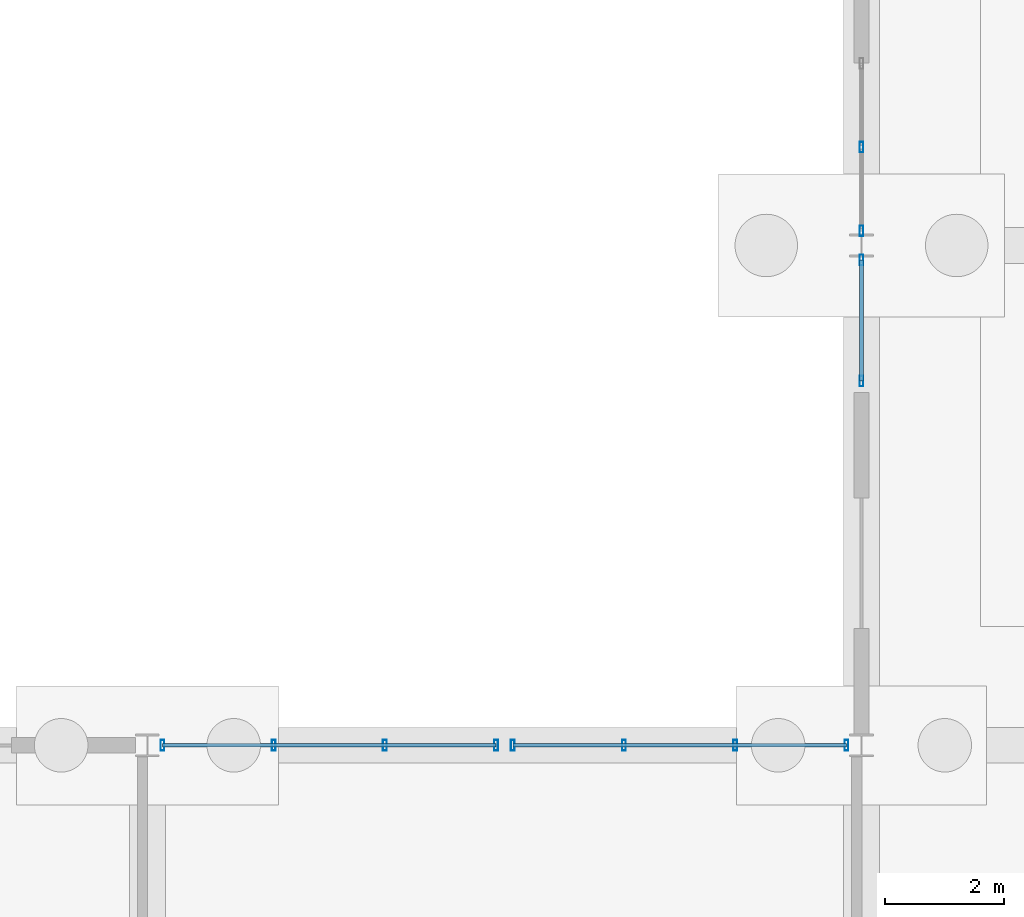
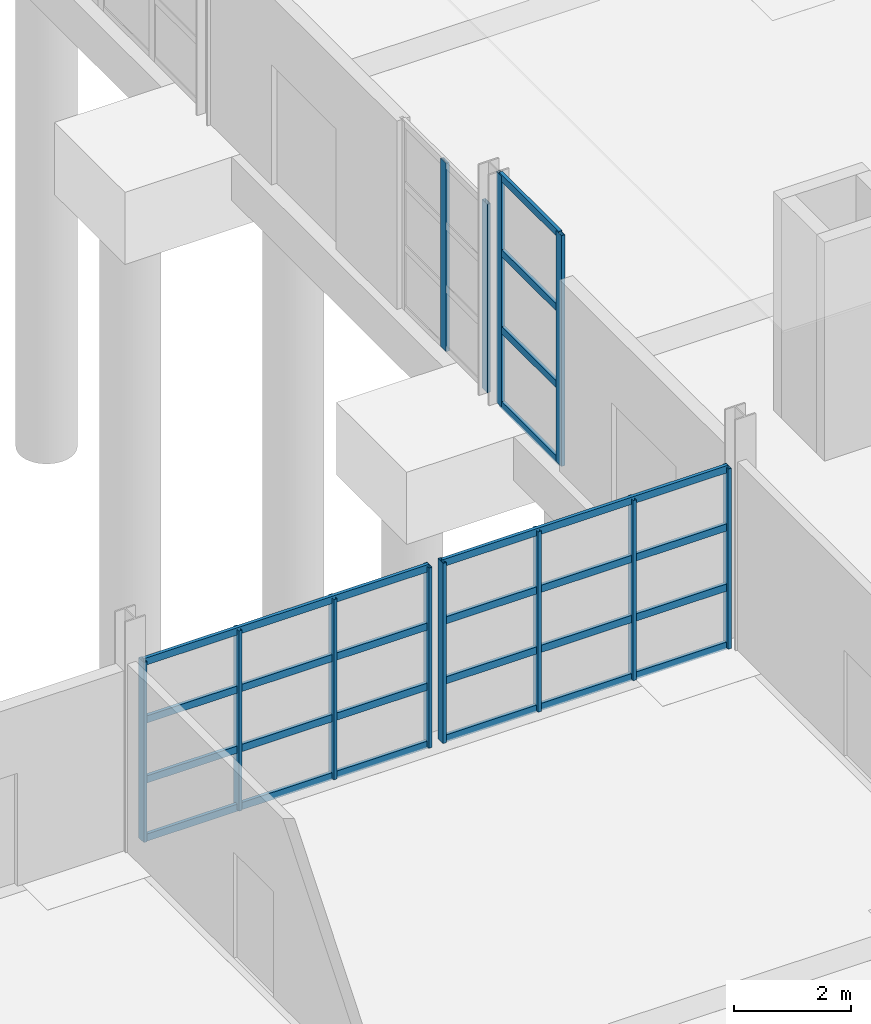
# One storey, part 30 of 82: 24 members, 4 elements without a shape of their own.
"""IFC4 building model written with IfcOpenShell, lengths in metres."""

from ifc_helpers import new_model, si_unit, direction, frame, origin, origin_2d, place, context, subcontext, project, spatial, hollow_rectangle, extrude, material, material_profile, profile_set, type_object, element, aggregate, save


model = new_model("IFC4")

# Units and contexts
model_context = context("Model", 3, precision=1e-05, world=origin(), true_north=direction((0.0, 1.0)))
body_context = subcontext(model_context, "Body", "Model", "MODEL_VIEW")
ifc_project = project(units=[si_unit("LENGTHUNIT", "METRE"), si_unit("AREAUNIT", "SQUARE_METRE"), si_unit("VOLUMEUNIT", "CUBIC_METRE"), si_unit("PLANEANGLEUNIT", "RADIAN"), si_unit("MASSUNIT", "GRAM", prefix="KILO")], contexts=[model_context])

# Site, building, storey
site_placement = place(None, origin())
site = spatial("IfcSite", under=ifc_project, at=site_placement, CompositionType="ELEMENT")
building_placement = place(site_placement, origin())
building = spatial("IfcBuilding", under=site, at=building_placement, Name="Kelmvaro Bay Concert Hall", CompositionType="ELEMENT")
storey_placement = place(building_placement, origin())
storey = spatial("IfcBuildingStorey", under=building, at=storey_placement, Name="L00", CompositionType="ELEMENT", Elevation=0.0)

# Curtain wall, members
ifc_material_1 = material(Name="Anodised Aluminium and Low-E Insulated Glazing", Category="aluminium")
curtain_wall_type = type_object("IfcCurtainWallType", Name="Foyer Ground Hurricane Curtain Wall 4400", PredefinedType="USERDEFINED", material=ifc_material_1)
curtain_wall_1_placement = place(storey_placement, origin())
curtain_wall_1 = element("IfcCurtainWall", 1, at=curtain_wall_1_placement, inside=storey, type_object=curtain_wall_type, Name="Unitised Curtain Wall CW-L00-053", ObjectType="UNITISED GLAZING", PredefinedType="USERDEFINED")
ifc_material_2 = material(Name="Anodised Extruded Aluminium 6063-T6", Category="aluminium")
ifc_material_profile_1 = material_profile(ifc_material_2, hollow_rectangle(XDim=0.06494140625, YDim=0.179931640625, WallThickness=0.00390625, at=origin_2d()), Name="ALU-MUL-180X65")
ifc_profile_set_1 = profile_set([ifc_material_profile_1], Name="Anodised Extruded Aluminium 6063-T6")
member_type_1 = type_object("IfcMemberType", Name="Curtain Mullion ALU 180x65", PredefinedType="MULLION", material=ifc_profile_set_1)
member_1_placement = place(storey_placement, frame((96.2529296875, 39.0, 0.0), z_axis=(0.0, 0.0, 1.0), x_axis=(1.0, 0.0, 0.0)))
member_1 = element("IfcMember", 2, at=member_1_placement, type_object=member_type_1, Name="CW-L00-053 Mullion 01", PredefinedType="MULLION", context=body_context, shape_type="SweptSolid", body=[
    extrude(hollow_rectangle(XDim=0.06494140625, YDim=0.179931640625, WallThickness=0.00390625, at=origin_2d()), origin(), (0.0, 0.0, 1.0), 3.7470703125),
])
member_2_placement = place(storey_placement, frame((98.1220703125, 39.0, 0.0), z_axis=(0.0, 0.0, 1.0), x_axis=(1.0, 0.0, 0.0)))
member_2 = element("IfcMember", 3, at=member_2_placement, type_object=member_type_1, Name="CW-L00-053 Mullion 02", PredefinedType="MULLION", context=body_context, shape_type="SweptSolid", body=[
    extrude(hollow_rectangle(XDim=0.06494140625, YDim=0.179931640625, WallThickness=0.00390625, at=origin_2d()), origin(), (0.0, 0.0, 1.0), 3.7470703125),
])
member_3_placement = place(storey_placement, frame((99.990966796875, 39.0, 0.0), z_axis=(0.0, 0.0, 1.0), x_axis=(1.0, 0.0, 0.0)))
member_3 = element("IfcMember", 4, at=member_3_placement, type_object=member_type_1, Name="CW-L00-053 Mullion 03", PredefinedType="MULLION", context=body_context, shape_type="SweptSolid", body=[
    extrude(hollow_rectangle(XDim=0.06494140625, YDim=0.179931640625, WallThickness=0.00390625, at=origin_2d()), origin(), (0.0, 0.0, 1.0), 3.7470703125),
])
member_4_placement = place(storey_placement, frame((101.860107421875, 39.0, 0.0), z_axis=(0.0, 0.0, 1.0), x_axis=(1.0, 0.0, 0.0)))
member_4 = element("IfcMember", 5, at=member_4_placement, type_object=member_type_1, Name="CW-L00-053 Mullion 04", PredefinedType="MULLION", context=body_context, shape_type="SweptSolid", body=[
    extrude(hollow_rectangle(XDim=0.06494140625, YDim=0.179931640625, WallThickness=0.00390625, at=origin_2d()), origin(), (0.0, 0.0, 1.0), 3.7470703125),
])

curtain_wall_2_placement = place(storey_placement, origin())
curtain_wall_2 = element("IfcCurtainWall", 6, at=curtain_wall_2_placement, inside=storey, type_object=curtain_wall_type, Name="Unitised Curtain Wall CW-L00-054", ObjectType="UNITISED GLAZING", PredefinedType="USERDEFINED")
member_5_placement = place(storey_placement, frame((102.139892578125, 39.0, 0.0), z_axis=(0.0, 0.0, 1.0), x_axis=(1.0, 0.0, 0.0)))
member_5 = element("IfcMember", 7, at=member_5_placement, type_object=member_type_1, Name="CW-L00-054 Mullion 01", PredefinedType="MULLION", context=body_context, shape_type="SweptSolid", body=[
    extrude(hollow_rectangle(XDim=0.06494140625, YDim=0.179931640625, WallThickness=0.00390625, at=origin_2d()), origin(), (0.0, 0.0, 1.0), 3.7470703125),
])
member_6_placement = place(storey_placement, frame((104.009033203125, 39.0, 0.0), z_axis=(0.0, 0.0, 1.0), x_axis=(1.0, 0.0, 0.0)))
member_6 = element("IfcMember", 8, at=member_6_placement, type_object=member_type_1, Name="CW-L00-054 Mullion 02", PredefinedType="MULLION", context=body_context, shape_type="SweptSolid", body=[
    extrude(hollow_rectangle(XDim=0.06494140625, YDim=0.179931640625, WallThickness=0.00390625, at=origin_2d()), origin(), (0.0, 0.0, 1.0), 3.7470703125),
])
member_7_placement = place(storey_placement, frame((105.8779296875, 39.0, 0.0), z_axis=(0.0, 0.0, 1.0), x_axis=(1.0, 0.0, 0.0)))
member_7 = element("IfcMember", 9, at=member_7_placement, type_object=member_type_1, Name="CW-L00-054 Mullion 03", PredefinedType="MULLION", context=body_context, shape_type="SweptSolid", body=[
    extrude(hollow_rectangle(XDim=0.06494140625, YDim=0.179931640625, WallThickness=0.00390625, at=origin_2d()), origin(), (0.0, 0.0, 1.0), 3.7470703125),
])
member_8_placement = place(storey_placement, frame((107.7470703125, 39.0, 0.0), z_axis=(0.0, 0.0, 1.0), x_axis=(1.0, 0.0, 0.0)))
member_8 = element("IfcMember", 10, at=member_8_placement, type_object=member_type_1, Name="CW-L00-054 Mullion 04", PredefinedType="MULLION", context=body_context, shape_type="SweptSolid", body=[
    extrude(hollow_rectangle(XDim=0.06494140625, YDim=0.179931640625, WallThickness=0.00390625, at=origin_2d()), origin(), (0.0, 0.0, 1.0), 3.7470703125),
])

curtain_wall_3_placement = place(storey_placement, origin())
curtain_wall_3 = element("IfcCurtainWall", 11, at=curtain_wall_3_placement, inside=storey, type_object=curtain_wall_type, Name="Unitised Curtain Wall CW-L00-100", ObjectType="UNITISED GLAZING", PredefinedType="USERDEFINED")
member_9_placement = place(storey_placement, frame((108.0, 45.1201171875, 0.0), z_axis=(0.0, 0.0, 1.0), x_axis=(1.0, 0.0, 0.0)))
member_9 = element("IfcMember", 12, at=member_9_placement, type_object=member_type_1, Name="CW-L00-100 Mullion 01", PredefinedType="MULLION", context=body_context, shape_type="SweptSolid", body=[
    extrude(hollow_rectangle(XDim=0.06494140625, YDim=0.179931640625, WallThickness=0.00390625, at=origin_2d()), origin(), (0.0, 0.0, 1.0), 4.800048828125),
])
member_10_placement = place(storey_placement, frame((108.0, 47.154541015625, 0.0), z_axis=(0.0, 0.0, 1.0), x_axis=(1.0, 0.0, 0.0)))
member_10 = element("IfcMember", 13, at=member_10_placement, type_object=member_type_1, Name="CW-L00-100 Mullion 02", PredefinedType="MULLION", context=body_context, shape_type="SweptSolid", body=[
    extrude(hollow_rectangle(XDim=0.06494140625, YDim=0.179931640625, WallThickness=0.00390625, at=origin_2d()), origin(), (0.0, 0.0, 1.0), 4.800048828125),
])

curtain_wall_4_placement = place(storey_placement, origin())
curtain_wall_4 = element("IfcCurtainWall", 14, at=curtain_wall_4_placement, inside=storey, type_object=curtain_wall_type, Name="Unitised Curtain Wall CW-L00-101", ObjectType="UNITISED GLAZING", PredefinedType="USERDEFINED")
member_11_placement = place(storey_placement, frame((108.0, 47.6455078125, 0.0), z_axis=(0.0, 0.0, 1.0), x_axis=(1.0, 0.0, 0.0)))
member_11 = element("IfcMember", 15, at=member_11_placement, type_object=member_type_1, Name="CW-L00-101 Mullion 01", PredefinedType="MULLION", context=body_context, shape_type="SweptSolid", body=[
    extrude(hollow_rectangle(XDim=0.06494140625, YDim=0.179931640625, WallThickness=0.00390625, at=origin_2d()), origin(), (0.0, 0.0, 1.0), 3.9189453125),
])
member_12_placement = place(storey_placement, frame((108.0, 49.052734375, 0.0), z_axis=(0.0, 0.0, 1.0), x_axis=(1.0, 0.0, 0.0)))
member_12 = element("IfcMember", 16, at=member_12_placement, type_object=member_type_1, Name="CW-L00-101 Mullion 02", PredefinedType="MULLION", context=body_context, shape_type="SweptSolid", body=[
    extrude(hollow_rectangle(XDim=0.06494140625, YDim=0.179931640625, WallThickness=0.00390625, at=origin_2d()), origin(), (0.0, 0.0, 1.0), 3.9189453125),
])
aggregate(curtain_wall_4, [member_11, member_12])

# Member
ifc_material_3 = material(Name="Anodised Extruded Aluminium 6063-T6", Category="aluminium")
ifc_material_profile_2 = material_profile(ifc_material_3, hollow_rectangle(XDim=0.06494140625, YDim=0.14990234375, WallThickness=0.00390625, at=origin_2d()), Name="ALU-TRN-150X65")
ifc_profile_set_2 = profile_set([ifc_material_profile_2], Name="Anodised Extruded Aluminium 6063-T6")
member_type_2 = type_object("IfcMemberType", Name="Curtain Transom ALU 150x65", PredefinedType="USERDEFINED", material=ifc_profile_set_2)
member_13_placement = place(storey_placement, frame((96.2529296875, 39.0, 0.0400390625), z_axis=(1.0, 0.0, 0.0), x_axis=(0.0, 1.0, 0.0)))
member_13 = element("IfcMember", 17, at=member_13_placement, type_object=member_type_2, Name="CW-L00-053 Transom 01", ObjectType="TRANSOM", PredefinedType="USERDEFINED", context=body_context, shape_type="SweptSolid", body=[
    extrude(hollow_rectangle(XDim=0.06494140625, YDim=0.14990234375, WallThickness=0.00390625, at=origin_2d()), origin(), (0.0, 0.0, 1.0), 5.607177734375),
])

member_14_placement = place(storey_placement, frame((96.2529296875, 39.0, 1.2490234375), z_axis=(1.0, 0.0, 0.0), x_axis=(0.0, 1.0, 0.0)))
member_14 = element("IfcMember", 18, at=member_14_placement, type_object=member_type_2, Name="CW-L00-053 Transom 02", ObjectType="TRANSOM", PredefinedType="USERDEFINED", context=body_context, shape_type="SweptSolid", body=[
    extrude(hollow_rectangle(XDim=0.06494140625, YDim=0.14990234375, WallThickness=0.00390625, at=origin_2d()), origin(), (0.0, 0.0, 1.0), 5.607177734375),
])

member_15_placement = place(storey_placement, frame((96.2529296875, 39.0, 2.498046875), z_axis=(1.0, 0.0, 0.0), x_axis=(0.0, 1.0, 0.0)))
member_15 = element("IfcMember", 19, at=member_15_placement, type_object=member_type_2, Name="CW-L00-053 Transom 03", ObjectType="TRANSOM", PredefinedType="USERDEFINED", context=body_context, shape_type="SweptSolid", body=[
    extrude(hollow_rectangle(XDim=0.06494140625, YDim=0.14990234375, WallThickness=0.00390625, at=origin_2d()), origin(), (0.0, 0.0, 1.0), 5.607177734375),
])

member_16_placement = place(storey_placement, frame((96.2529296875, 39.0, 3.70703125), z_axis=(1.0, 0.0, 0.0), x_axis=(0.0, 1.0, 0.0)))
member_16 = element("IfcMember", 20, at=member_16_placement, type_object=member_type_2, Name="CW-L00-053 Transom 04", ObjectType="TRANSOM", PredefinedType="USERDEFINED", context=body_context, shape_type="SweptSolid", body=[
    extrude(hollow_rectangle(XDim=0.06494140625, YDim=0.14990234375, WallThickness=0.00390625, at=origin_2d()), origin(), (0.0, 0.0, 1.0), 5.607177734375),
])

aggregate(curtain_wall_1, [member_1, member_2, member_3, member_4, member_13, member_14, member_15, member_16])

member_17_placement = place(storey_placement, frame((102.139892578125, 39.0, 0.0400390625), z_axis=(1.0, 0.0, 0.0), x_axis=(0.0, 1.0, 0.0)))
member_17 = element("IfcMember", 21, at=member_17_placement, type_object=member_type_2, Name="CW-L00-054 Transom 01", ObjectType="TRANSOM", PredefinedType="USERDEFINED", context=body_context, shape_type="SweptSolid", body=[
    extrude(hollow_rectangle(XDim=0.06494140625, YDim=0.14990234375, WallThickness=0.00390625, at=origin_2d()), origin(), (0.0, 0.0, 1.0), 5.607177734375),
])

member_18_placement = place(storey_placement, frame((102.139892578125, 39.0, 1.2490234375), z_axis=(1.0, 0.0, 0.0), x_axis=(0.0, 1.0, 0.0)))
member_18 = element("IfcMember", 22, at=member_18_placement, type_object=member_type_2, Name="CW-L00-054 Transom 02", ObjectType="TRANSOM", PredefinedType="USERDEFINED", context=body_context, shape_type="SweptSolid", body=[
    extrude(hollow_rectangle(XDim=0.06494140625, YDim=0.14990234375, WallThickness=0.00390625, at=origin_2d()), origin(), (0.0, 0.0, 1.0), 5.607177734375),
])

member_19_placement = place(storey_placement, frame((102.139892578125, 39.0, 2.498046875), z_axis=(1.0, 0.0, 0.0), x_axis=(0.0, 1.0, 0.0)))
member_19 = element("IfcMember", 23, at=member_19_placement, type_object=member_type_2, Name="CW-L00-054 Transom 03", ObjectType="TRANSOM", PredefinedType="USERDEFINED", context=body_context, shape_type="SweptSolid", body=[
    extrude(hollow_rectangle(XDim=0.06494140625, YDim=0.14990234375, WallThickness=0.00390625, at=origin_2d()), origin(), (0.0, 0.0, 1.0), 5.607177734375),
])

member_20_placement = place(storey_placement, frame((102.139892578125, 39.0, 3.70703125), z_axis=(1.0, 0.0, 0.0), x_axis=(0.0, 1.0, 0.0)))
member_20 = element("IfcMember", 24, at=member_20_placement, type_object=member_type_2, Name="CW-L00-054 Transom 04", ObjectType="TRANSOM", PredefinedType="USERDEFINED", context=body_context, shape_type="SweptSolid", body=[
    extrude(hollow_rectangle(XDim=0.06494140625, YDim=0.14990234375, WallThickness=0.00390625, at=origin_2d()), origin(), (0.0, 0.0, 1.0), 5.607177734375),
])

aggregate(curtain_wall_2, [member_5, member_6, member_7, member_8, member_17, member_18, member_19, member_20])

member_21_placement = place(storey_placement, frame((108.0, 45.1201171875, 0.0400390625), z_axis=(0.0, 1.0, 0.0), x_axis=(-1.0, 0.0, 0.0)))
member_21 = element("IfcMember", 25, at=member_21_placement, type_object=member_type_2, Name="CW-L00-100 Transom 01", ObjectType="TRANSOM", PredefinedType="USERDEFINED", context=body_context, shape_type="SweptSolid", body=[
    extrude(hollow_rectangle(XDim=0.06494140625, YDim=0.14990234375, WallThickness=0.00390625, at=origin_2d()), origin(), (0.0, 0.0, 1.0), 2.034423828125),
])

member_22_placement = place(storey_placement, frame((108.0, 45.1201171875, 1.60009765625), z_axis=(0.0, 1.0, 0.0), x_axis=(-1.0, 0.0, 0.0)))
member_22 = element("IfcMember", 26, at=member_22_placement, type_object=member_type_2, Name="CW-L00-100 Transom 02", ObjectType="TRANSOM", PredefinedType="USERDEFINED", context=body_context, shape_type="SweptSolid", body=[
    extrude(hollow_rectangle(XDim=0.06494140625, YDim=0.14990234375, WallThickness=0.00390625, at=origin_2d()), origin(), (0.0, 0.0, 1.0), 2.034423828125),
])

member_23_placement = place(storey_placement, frame((108.0, 45.1201171875, 3.199951171875), z_axis=(0.0, 1.0, 0.0), x_axis=(-1.0, 0.0, 0.0)))
member_23 = element("IfcMember", 27, at=member_23_placement, type_object=member_type_2, Name="CW-L00-100 Transom 03", ObjectType="TRANSOM", PredefinedType="USERDEFINED", context=body_context, shape_type="SweptSolid", body=[
    extrude(hollow_rectangle(XDim=0.06494140625, YDim=0.14990234375, WallThickness=0.00390625, at=origin_2d()), origin(), (0.0, 0.0, 1.0), 2.034423828125),
])

member_24_placement = place(storey_placement, frame((108.0, 45.1201171875, 4.760009765625), z_axis=(0.0, 1.0, 0.0), x_axis=(-1.0, 0.0, 0.0)))
member_24 = element("IfcMember", 28, at=member_24_placement, type_object=member_type_2, Name="CW-L00-100 Transom 04", ObjectType="TRANSOM", PredefinedType="USERDEFINED", context=body_context, shape_type="SweptSolid", body=[
    extrude(hollow_rectangle(XDim=0.06494140625, YDim=0.14990234375, WallThickness=0.00390625, at=origin_2d()), origin(), (0.0, 0.0, 1.0), 2.034423828125),
])

aggregate(curtain_wall_3, [member_9, member_10, member_21, member_22, member_23, member_24])

save(model, "model.ifc")
